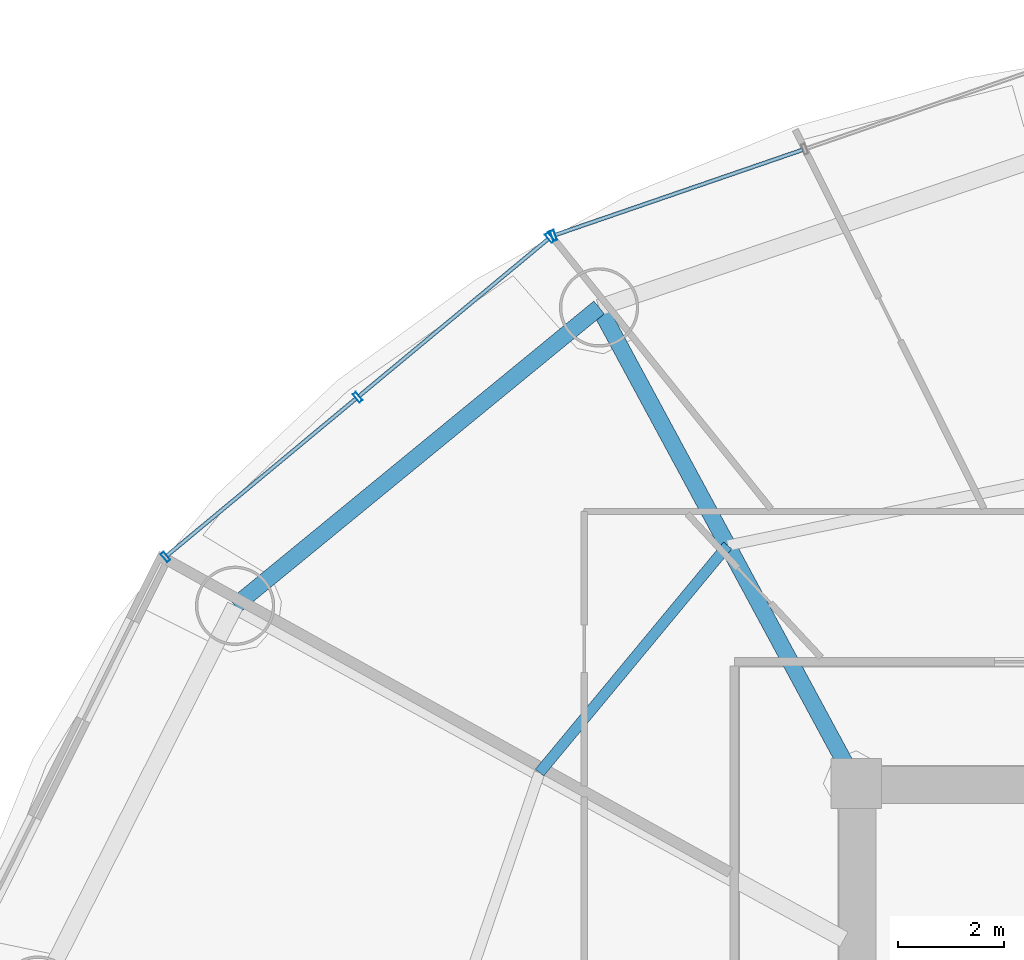
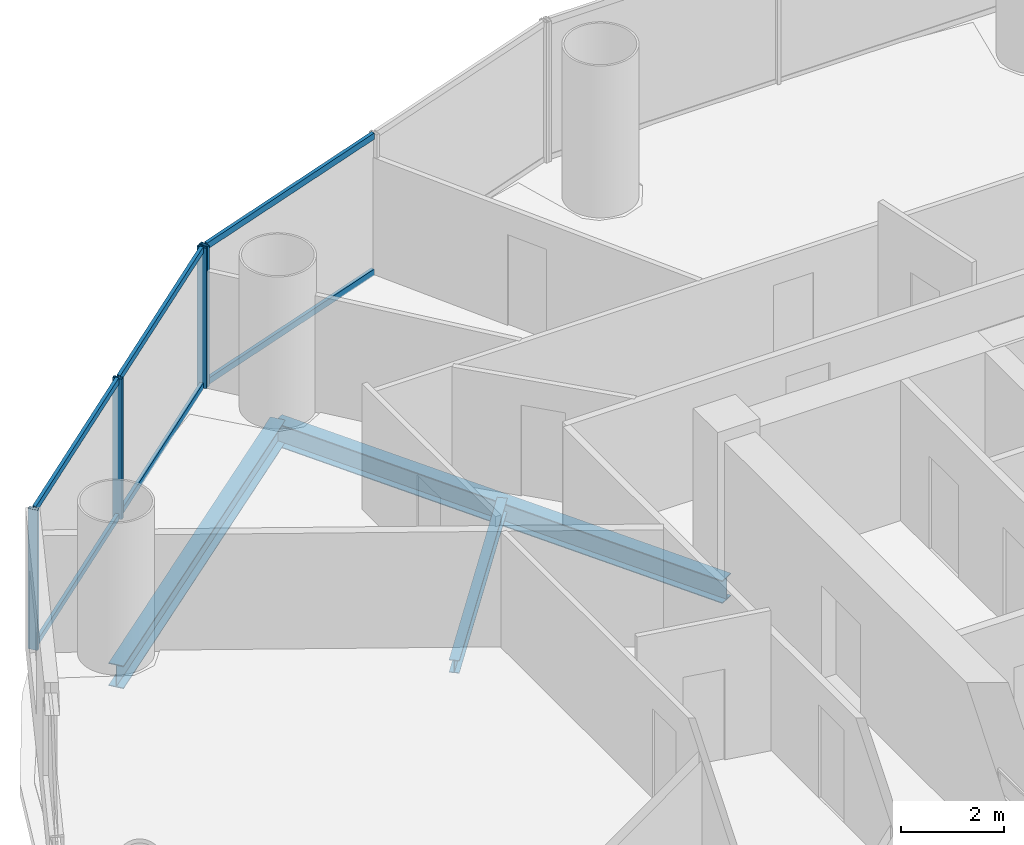
# One storey, part 15 of 28: 10 members, 3 beams, 2 elements without a shape of their own.
"""IFC4 building model written with IfcOpenShell, lengths in metres."""

from ifc_helpers import new_model, si_unit, direction, frame, origin, origin_2d, place, context, subcontext, project, spatial, hollow_rectangle, i_section, extrude, source, transform, mapped, material, material_profile, profile_set, type_object, element, aggregate, save


model = new_model("IFC4")

# Units and contexts
model_context = context("Model", 3, precision=1e-05, world=origin(), true_north=direction((-0.2419218956, 0.970295726276)))
body_context = subcontext(model_context, "Body", "Model", "MODEL_VIEW")
ifc_project = project(units=[si_unit("LENGTHUNIT", "METRE"), si_unit("AREAUNIT", "SQUARE_METRE"), si_unit("VOLUMEUNIT", "CUBIC_METRE"), si_unit("PLANEANGLEUNIT", "RADIAN"), si_unit("MASSUNIT", "GRAM", prefix="KILO")], contexts=[model_context])

# Site, building, storey
site_placement = place(None, origin())
site = spatial("IfcSite", under=ifc_project, at=site_placement, CompositionType="ELEMENT")
building_placement = place(site_placement, origin())
building = spatial("IfcBuilding", under=site, at=building_placement, Name="Cobrevalo Terracotta Tower", CompositionType="ELEMENT")
storey_placement = place(building_placement, frame((0.0, 0.0, 108.60009765625)))
storey = spatial("IfcBuildingStorey", under=building, at=storey_placement, Name="L28", CompositionType="ELEMENT", Elevation=108.60009765625)

# Beams
ifc_material_1 = material(Name="Steel S355", Category="steel")
ifc_material_profile_1 = material_profile(ifc_material_1, i_section(OverallWidth=0.31201171875, OverallDepth=0.54296875, WebThickness=0.0126953125, FlangeThickness=0.020263671875, at=origin_2d()), Name="W 530x150")
ifc_profile_set_1 = profile_set([ifc_material_profile_1], Name="Steel S355")
beam_type_1 = type_object("IfcBeamType", Name="Structural Beam W 530x150 (Steel S355)", PredefinedType="BEAM", material=ifc_profile_set_1)
beam_1_placement = place(storey_placement, frame((24.138427734375, 43.803466796875, -0.546630859375), z_axis=(0.475128224431, -0.879916570107, 0.0), x_axis=(0.879916570107, 0.475128224431, 0.0)))
element("IfcBeam", 1, at=beam_1_placement, inside=storey, type_object=beam_type_1, Name="L28 radial floor girder 06", PredefinedType="BEAM", context=body_context, shape_type="SweptSolid", body=[
    extrude(i_section(OverallWidth=0.31201171875, OverallDepth=0.54296875, WebThickness=0.0126953125, FlangeThickness=0.020263671875, at=origin_2d()), origin(), (0.0, 0.0, 1.0), 10.232177734375),
])
ifc_material_profile_2 = material_profile(ifc_material_1, i_section(OverallWidth=0.2041015625, OverallDepth=0.305908203125, WebThickness=0.008544921875, FlangeThickness=0.0146484375, at=origin_2d()), Name="W 310x67")
ifc_profile_set_2 = profile_set([ifc_material_profile_2], Name="Steel S355")
beam_type_2 = type_object("IfcBeamType", Name="Structural Joist W 310x67 (Steel S355)", PredefinedType="JOIST", material=ifc_profile_set_2)
beam_2_placement = place(storey_placement, frame((26.5693359375, 39.3017578125, -0.427978515625), z_axis=(-0.6379592588, -0.77007011636, 0.0), x_axis=(0.77007011636, -0.6379592588, 0.0)))
element("IfcBeam", 2, at=beam_2_placement, inside=storey, type_object=beam_type_2, Name="L28 circumferential secondary floor joist 06", PredefinedType="JOIST", context=body_context, shape_type="SweptSolid", body=[
    extrude(i_section(OverallWidth=0.2041015625, OverallDepth=0.305908203125, WebThickness=0.008544921875, FlangeThickness=0.0146484375, at=origin_2d()), origin(), (0.0, 0.0, 1.0), 5.575439453125),
])
ifc_material_profile_3 = material_profile(ifc_material_1, i_section(OverallWidth=0.31201171875, OverallDepth=0.54296875, WebThickness=0.0126953125, FlangeThickness=0.020263671875, at=origin_2d()), Name="W 530x150")
ifc_profile_set_3 = profile_set([ifc_material_profile_3], Name="Steel S355")
beam_type_3 = type_object("IfcBeamType", Name="Structural Spandrel W 530x150 (Steel S355)", PredefinedType="SPANDREL", material=ifc_profile_set_3)
beam_3_placement = place(storey_placement, frame((24.138427734375, 43.803466796875, -0.546630859375), z_axis=(-0.773400923541, -0.633917196064, 0.0), x_axis=(0.633917196064, -0.773400923541, 0.0)))
element("IfcBeam", 3, at=beam_3_placement, inside=storey, type_object=beam_type_3, Name="L28 perimeter ring spandrel 06", PredefinedType="SPANDREL", context=body_context, shape_type="SweptSolid", body=[
    extrude(i_section(OverallWidth=0.31201171875, OverallDepth=0.54296875, WebThickness=0.0126953125, FlangeThickness=0.020263671875, at=origin_2d()), origin(), (0.0, 0.0, 1.0), 8.900390625),
])

# Curtain wall, member
ifc_material_2 = material(Name="Anodized aluminium", Category="aluminium")
curtain_wall_type = type_object("IfcCurtainWallType", Name="Lower-tower unitised acoustic low-E curtain wall CW-U1", PredefinedType="NOTDEFINED", material=ifc_material_2)
curtain_wall_1_placement = place(storey_placement, origin())
curtain_wall_1 = element("IfcCurtainWall", 4, at=curtain_wall_1_placement, inside=storey, type_object=curtain_wall_type, Name="L28 curtain wall CW-L28-S05", PredefinedType="NOTDEFINED")
ifc_material_profile_4 = material_profile(ifc_material_2, hollow_rectangle(XDim=0.074951171875, YDim=0.199951171875, WallThickness=0.0048828125, at=origin_2d()), Name="CWM 75x200")
ifc_profile_set_4 = profile_set([ifc_material_profile_4], Name="Anodized aluminium")
member_type_1 = type_object("IfcMemberType", Name="Lower/mid tower unitised mullion 75x200", PredefinedType="MULLION", material=ifc_profile_set_4)
shared_shape_1 = source(origin(), body_context, "Body", "SweptSolid", [
    extrude(hollow_rectangle(XDim=0.074951171875, YDim=0.199951171875, WallThickness=0.0048828125, at=origin_2d()), origin(), (0.0, 0.0, 1.0), 3.324951171875),
])
member_1_placement = place(storey_placement, frame((23.2763671875, 45.16357421875, 0.0), z_axis=(0.0, 0.0, 1.0), x_axis=(-0.94559809868, -0.325337110968, 0.0)))
member_1 = element("IfcMember", 5, at=member_1_placement, type_object=member_type_1, Name="CW-L28-S05 vertical mullion 03", PredefinedType="MULLION", context=body_context, shape_type="MappedRepresentation", body=[
    mapped(shared_shape_1, transform((0.0, 0.0, 0.0), scale=1.0)),
])

# Curtain wall, members
curtain_wall_2_placement = place(storey_placement, origin())
curtain_wall_2 = element("IfcCurtainWall", 6, at=curtain_wall_2_placement, inside=storey, type_object=curtain_wall_type, Name="L28 curtain wall CW-L28-S06", PredefinedType="NOTDEFINED")
member_2_placement = place(storey_placement, frame((23.207763671875, 45.125, 0.0), z_axis=(0.0, 0.0, 1.0), x_axis=(-0.769243451658, -0.638955798222, 0.0)))
member_2 = element("IfcMember", 7, at=member_2_placement, type_object=member_type_1, Name="CW-L28-S06 vertical mullion 01", PredefinedType="MULLION", context=body_context, shape_type="MappedRepresentation", body=[
    mapped(shared_shape_1, transform((0.0, 0.0, 0.0), scale=1.0)),
])
member_3_placement = place(storey_placement, frame((19.5732421875, 42.10595703125, 0.0), z_axis=(0.0, 0.0, 1.0), x_axis=(-0.769243451658, -0.638955798222, 0.0)))
member_3 = element("IfcMember", 8, at=member_3_placement, type_object=member_type_1, Name="CW-L28-S06 vertical mullion 02", PredefinedType="MULLION", context=body_context, shape_type="MappedRepresentation", body=[
    mapped(shared_shape_1, transform((0.0, 0.0, 0.0), scale=1.0)),
])
member_4_placement = place(storey_placement, frame((15.938720703125, 39.0869140625, 0.0), z_axis=(0.0, 0.0, 1.0), x_axis=(-0.769243451658, -0.638955798222, 0.0)))
member_4 = element("IfcMember", 9, at=member_4_placement, type_object=member_type_1, Name="CW-L28-S06 vertical mullion 03", PredefinedType="MULLION", context=body_context, shape_type="MappedRepresentation", body=[
    mapped(shared_shape_1, transform((0.0, 0.0, 0.0), scale=1.0)),
])

# Member
ifc_material_profile_5 = material_profile(ifc_material_2, hollow_rectangle(XDim=0.074951171875, YDim=0.14990234375, WallThickness=0.00439453125, at=origin_2d()), Name="CWT 75x150")
ifc_profile_set_5 = profile_set([ifc_material_profile_5], Name="Anodized aluminium")
member_type_2 = type_object("IfcMemberType", Name="Tower unitised aluminium transom 75x150", PredefinedType="USERDEFINED", material=ifc_profile_set_5)
shared_shape_2 = source(origin(), body_context, "Body", "SweptSolid", [
    extrude(hollow_rectangle(XDim=0.074951171875, YDim=0.14990234375, WallThickness=0.00439453125, at=origin_2d()), origin(), (0.0, 0.0, 1.0), 4.944580078125),
])
member_5_placement = place(storey_placement, frame((27.98974609375, 46.78515625, 0.0498046875), z_axis=(-0.945597859971, -0.32533780478, 0.0), x_axis=(0.32533780478, -0.945597859971, 0.0)))
member_5 = element("IfcMember", 10, at=member_5_placement, type_object=member_type_2, Name="CW-L28-S05 transom B02-T1", ObjectType="TRANSOM", PredefinedType="USERDEFINED", context=body_context, shape_type="MappedRepresentation", body=[
    mapped(shared_shape_2, transform((0.0, 0.0, 0.0), scale=1.0)),
])

member_6_placement = place(storey_placement, frame((27.98974609375, 46.78515625, 3.27490234375), z_axis=(-0.945597859971, -0.32533780478, 0.0), x_axis=(0.32533780478, -0.945597859971, 0.0)))
member_6 = element("IfcMember", 11, at=member_6_placement, type_object=member_type_2, Name="CW-L28-S05 transom B02-T2", ObjectType="TRANSOM", PredefinedType="USERDEFINED", context=body_context, shape_type="MappedRepresentation", body=[
    mapped(shared_shape_2, transform((0.0, 0.0, 0.0), scale=1.0)),
])

aggregate(curtain_wall_1, [member_1, member_5, member_6])

shared_shape_3 = source(origin(), body_context, "Body", "SweptSolid", [
    extrude(hollow_rectangle(XDim=0.074951171875, YDim=0.14990234375, WallThickness=0.00439453125, at=origin_2d()), origin(), (0.0, 0.0, 1.0), 4.644775390625),
])
member_7_placement = place(storey_placement, frame((23.177001953125, 45.099365234375, 0.0498046875), z_axis=(-0.76924999091, -0.638947925487, 0.0), x_axis=(0.638947925487, -0.76924999091, 0.0)))
member_7 = element("IfcMember", 12, at=member_7_placement, type_object=member_type_2, Name="CW-L28-S06 transom B01-T1", ObjectType="TRANSOM", PredefinedType="USERDEFINED", context=body_context, shape_type="MappedRepresentation", body=[
    mapped(shared_shape_3, transform((0.0, 0.0, 0.0), scale=1.0)),
])

member_8_placement = place(storey_placement, frame((23.177001953125, 45.099365234375, 3.27490234375), z_axis=(-0.76924999091, -0.638947925487, 0.0), x_axis=(0.638947925487, -0.76924999091, 0.0)))
member_8 = element("IfcMember", 13, at=member_8_placement, type_object=member_type_2, Name="CW-L28-S06 transom B01-T2", ObjectType="TRANSOM", PredefinedType="USERDEFINED", context=body_context, shape_type="MappedRepresentation", body=[
    mapped(shared_shape_3, transform((0.0, 0.0, 0.0), scale=1.0)),
])

member_9_placement = place(storey_placement, frame((19.54248046875, 42.080322265625, 0.0498046875), z_axis=(-0.76924999091, -0.638947925487, 0.0), x_axis=(0.638947925487, -0.76924999091, 0.0)))
member_9 = element("IfcMember", 14, at=member_9_placement, type_object=member_type_2, Name="CW-L28-S06 transom B02-T1", ObjectType="TRANSOM", PredefinedType="USERDEFINED", context=body_context, shape_type="MappedRepresentation", body=[
    mapped(shared_shape_3, transform((0.0, 0.0, 0.0), scale=1.0)),
])

member_10_placement = place(storey_placement, frame((19.54248046875, 42.080322265625, 3.27490234375), z_axis=(-0.76924999091, -0.638947925487, 0.0), x_axis=(0.638947925487, -0.76924999091, 0.0)))
member_10 = element("IfcMember", 15, at=member_10_placement, type_object=member_type_2, Name="CW-L28-S06 transom B02-T2", ObjectType="TRANSOM", PredefinedType="USERDEFINED", context=body_context, shape_type="MappedRepresentation", body=[
    mapped(shared_shape_3, transform((0.0, 0.0, 0.0), scale=1.0)),
])

aggregate(curtain_wall_2, [member_2, member_3, member_4, member_7, member_8, member_9, member_10])

save(model, "model.ifc")
